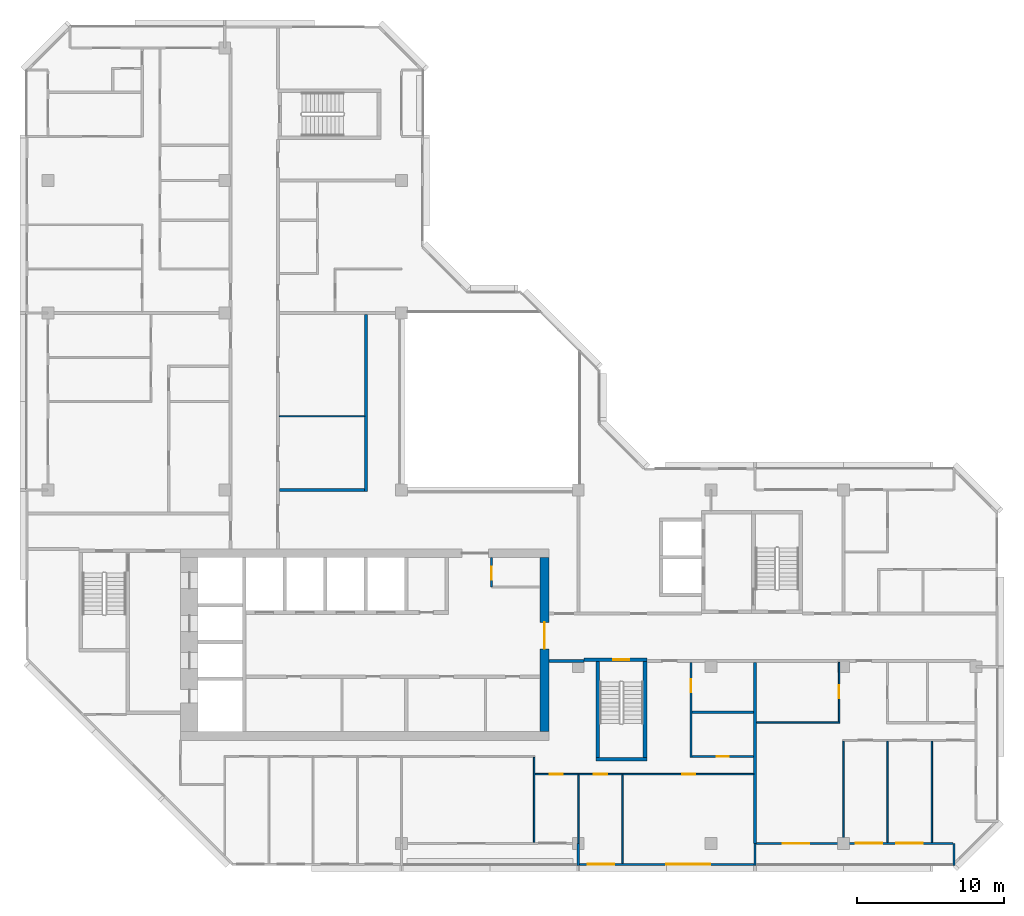
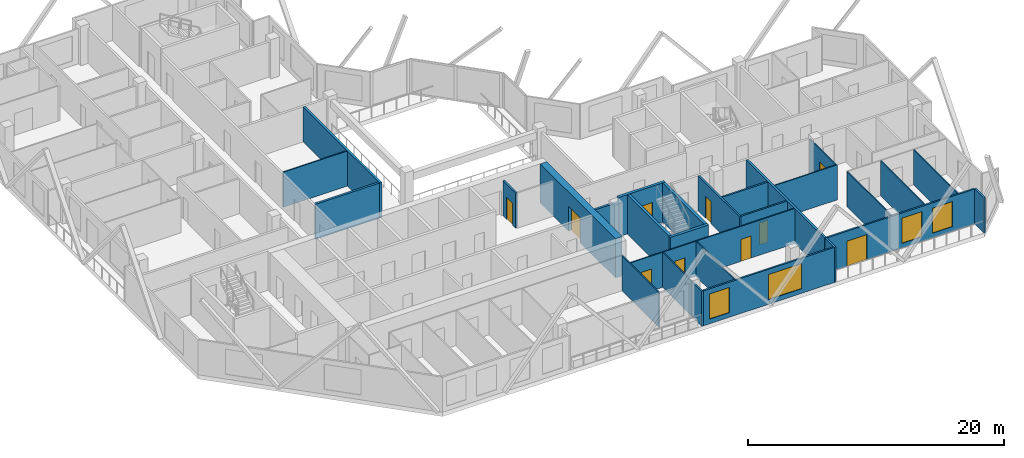
# One storey, part 6 of 13: 28 walls, 10 doors, 4 windows, 14 openings.
"""IFC4 building model written with IfcOpenShell, lengths in metres."""

from ifc_helpers import new_model, si_unit, direction, frame, frame_2d, origin, place, context, subcontext, project, spatial, rectangle, extrude, material, layer, layer_set, type_object, element, fill, save


model = new_model("IFC4")

# Units and contexts
model_context = context("Model", 3, precision=1e-05, world=origin(), true_north=direction((0.0, 1.0)))
body_context = subcontext(model_context, "Body", "Model", "MODEL_VIEW")
ifc_project = project(units=[si_unit("LENGTHUNIT", "METRE"), si_unit("AREAUNIT", "SQUARE_METRE"), si_unit("VOLUMEUNIT", "CUBIC_METRE"), si_unit("PLANEANGLEUNIT", "RADIAN"), si_unit("MASSUNIT", "GRAM", prefix="KILO")], contexts=[model_context])

# Site, building, storey
site_placement = place(None, origin())
site = spatial("IfcSite", under=ifc_project, at=site_placement, CompositionType="ELEMENT")
building_placement = place(site_placement, origin())
building = spatial("IfcBuilding", under=site, at=building_placement, Name="Chenar Terraces", CompositionType="ELEMENT")
storey_placement = place(building_placement, frame((0.0, 0.0, 273.39990234375)))
storey = spatial("IfcBuildingStorey", under=building, at=storey_placement, Name="L63", CompositionType="ELEMENT", Elevation=273.39990234375)

# Wall, opening, door
ifc_material_1 = material(Name="Gypsum board on steel studs", Category="steel")
ifc_layer_1 = layer(ifc_material_1, 0.14990234375)
ifc_layer_set_1 = layer_set([ifc_layer_1], Name="Gypsum board on steel studs")
wall_type_1 = type_object("IfcWallType", Name="Core partition 150 gypsum board", PredefinedType="PARTITIONING", material=ifc_layer_set_1)
wall_1_placement = place(storey_placement, frame((30.10009765625, 17.39990234375, 0.0), z_axis=(0.0, 0.0, 1.0), x_axis=(0.0, 1.0, 0.0)))
wall_1 = element("IfcWall", 1, at=wall_1_placement, inside=storey, type_object=wall_type_1, Name="Core partition CP1 vestibule room west wall", PredefinedType="PARTITIONING", context=body_context, shape_type="SweptSolid", body=[
    extrude(rectangle(XDim=2.0, YDim=0.14990234375, at=frame_2d((1.0, 0.0))), origin(), (0.0, 0.0, 1.0), 3.35009765625),
])
opening_1_placement = place(wall_1_placement, frame((0.5, 0.0, 0.0)))
opening_1 = element("IfcOpeningElement", 2, at=opening_1_placement, cuts=wall_1, Name="Opening DL63-C17", PredefinedType="OPENING", context=body_context, shape_type="SweptSolid", body=[
    extrude(rectangle(XDim=0.89990234375, YDim=2.10009765625, at=frame_2d((0.449951171875, 1.050048828125))), frame((0.0, 0.0849609375, 0.0), z_axis=(0.0, -1.0, 0.0), x_axis=(1.0, 0.0, 0.0)), (0.0, 0.0, 1.0), 0.169921875),
])
ifc_material_2 = material(Name="Steel-framed fire-resisting door leaf", Category="steel")
door_type_1 = type_object("IfcDoorType", Name="Riser fire door FD60 900 x 2100", OperationType="SINGLE_SWING_LEFT", PredefinedType="DOOR", material=ifc_material_2)
door_1_placement = place(opening_1_placement, frame((0.89990234375, 0.0, 0.0), z_axis=(0.0, 0.0, 1.0), x_axis=(-1.0, 0.0, 0.0)))
door_1 = element("IfcDoor", 3, at=door_1_placement, inside=storey, type_object=door_type_1, Name="Core room door DL63-C17", OperationType="SINGLE_SWING_RIGHT", OverallHeight=2.10009765625, OverallWidth=0.89990234375, PredefinedType="DOOR", context=body_context, shape_type="SweptSolid", body=[
    extrude(rectangle(XDim=0.89990234375, YDim=2.10009765625, at=frame_2d((0.449951171875, 1.050048828125))), frame((0.0, 0.02490234375, 0.0), z_axis=(0.0, -1.0, 0.0), x_axis=(1.0, 0.0, 0.0)), (0.0, 0.0, 1.0), 0.050048828125),
])
fill(opening_1, door_1)

# Wall
ifc_material_3 = material(Name="Concrete C50/60", Category="concrete")
ifc_layer_2 = layer(ifc_material_3, 0.25)
ifc_layer_set_2 = layer_set([ifc_layer_2], Name="Concrete C50/60")
wall_type_2 = type_object("IfcWallType", Name="Core wall 250 Concrete C50/60", PredefinedType="SHEAR", material=ifc_layer_set_2)
wall_2_placement = place(storey_placement, frame((37.199951171875, 5.72509765625, 0.0), z_axis=(0.0, 0.0, 1.0), x_axis=(1.0, 0.0, 0.0)))
element("IfcWall", 4, at=wall_2_placement, inside=storey, type_object=wall_type_2, Name="Core wall ST2_S L63", PredefinedType="SHEAR", context=body_context, shape_type="SweptSolid", body=[
    extrude(rectangle(XDim=3.449951171875, YDim=0.25, at=frame_2d((1.72509765625, 0.0))), origin(), (0.0, 0.0, 1.0), 3.75),
])

# Wall, opening, door
wall_3_placement = place(storey_placement, frame((36.39990234375, 12.47509765625, 0.0), z_axis=(0.0, 0.0, 1.0), x_axis=(1.0, 0.0, 0.0)))
wall_3 = element("IfcWall", 5, at=wall_3_placement, inside=storey, type_object=wall_type_2, Name="Core wall ST2_N L63", PredefinedType="SHEAR", context=body_context, shape_type="SweptSolid", body=[
    extrude(rectangle(XDim=4.25, YDim=0.25, at=frame_2d((2.125, 0.0))), origin(), (0.0, 0.0, 1.0), 3.75),
])
opening_2_placement = place(wall_3_placement, frame((1.97509765625, 0.0, 0.0)))
opening_2 = element("IfcOpeningElement", 6, at=opening_2_placement, cuts=wall_3, Name="Opening DL63-C7", PredefinedType="OPENING", context=body_context, shape_type="SweptSolid", body=[
    extrude(rectangle(XDim=1.10009765625, YDim=2.199951171875, at=frame_2d((0.550048828125, 1.10009765625))), frame((0.0, 0.135009765625, 0.0), z_axis=(0.0, -1.0, 0.0), x_axis=(1.0, 0.0, 0.0)), (0.0, 0.0, 1.0), 0.27001953125),
])
ifc_material_4 = material(Name="Steel-framed fire-resisting door leaf", Category="steel")
door_type_2 = type_object("IfcDoorType", Name="Stair fire door FD60 1100 x 2200", OperationType="SINGLE_SWING_LEFT", PredefinedType="DOOR", material=ifc_material_4)
door_2_placement = place(opening_2_placement, frame((1.10009765625, 0.0, 0.0), z_axis=(0.0, 0.0, 1.0), x_axis=(-1.0, 0.0, 0.0)))
door_2 = element("IfcDoor", 7, at=door_2_placement, inside=storey, type_object=door_type_2, Name="Stair door DL63-C7", OperationType="SINGLE_SWING_LEFT", OverallHeight=2.199951171875, OverallWidth=1.10009765625, PredefinedType="DOOR", context=body_context, shape_type="SweptSolid", body=[
    extrude(rectangle(XDim=1.10009765625, YDim=2.199951171875, at=frame_2d((0.550048828125, 1.10009765625))), frame((0.0, 0.02490234375, 0.0), z_axis=(0.0, -1.0, 0.0), x_axis=(1.0, 0.0, 0.0)), (0.0, 0.0, 1.0), 0.050048828125),
])
fill(opening_2, door_2)

# Walls
for number, where, z_axis, x_axis, name in (
    (8, (37.324951171875, 5.85009765625, 0.0), (0.0, 0.0, 1.0), (0.0, 1.0, 0.0), "Core wall ST2_W L63"),
    (9, (40.52490234375, 5.85009765625, 0.0), (0.0, 0.0, 1.0), (0.0, 1.0, 0.0), "Core wall ST2_E L63"),
):
    element("IfcWall", number, at=place(storey_placement, frame(where, z_axis=z_axis, x_axis=x_axis)), inside=storey, type_object=wall_type_2, Name=name, PredefinedType="SHEAR", context=body_context, shape_type="SweptSolid", body=[
        extrude(rectangle(XDim=6.5, YDim=0.25, at=frame_2d((3.25, 0.0))), origin(), (0.0, 0.0, 1.0), 3.75),
    ])

# Wall, opening, door
ifc_material_5 = material(Name="Concrete C50/60", Category="concrete")
ifc_layer_3 = layer(ifc_material_5, 0.60009765625)
ifc_layer_set_3 = layer_set([ifc_layer_3], Name="Concrete C50/60")
wall_type_3 = type_object("IfcWallType", Name="Core wall 600 Concrete C50/60", PredefinedType="SHEAR", material=ifc_layer_set_3)
wall_4_placement = place(storey_placement, frame((33.699951171875, 7.60009765625, 0.0), z_axis=(0.0, 0.0, 1.0), x_axis=(0.0, 1.0, 0.0)))
wall_4 = element("IfcWall", 10, at=wall_4_placement, inside=storey, type_object=wall_type_3, Name="Core wall E L63", PredefinedType="SHEAR", context=body_context, shape_type="SweptSolid", body=[
    extrude(rectangle(XDim=11.7998046875, YDim=0.60009765625, at=frame_2d((5.89990234375, 0.0))), origin(), (0.0, 0.0, 1.0), 3.75),
])
opening_3_placement = place(wall_4_placement, frame((5.60009765625, 0.0, 0.0)))
opening_3 = element("IfcOpeningElement", 11, at=opening_3_placement, cuts=wall_4, Name="Opening DL63-C1", PredefinedType="OPENING", context=body_context, shape_type="SweptSolid", body=[
    extrude(rectangle(XDim=1.800048828125, YDim=2.39990234375, at=frame_2d((0.89990234375, 1.199951171875))), frame((0.0, 0.31005859375, 0.0), z_axis=(0.0, -1.0, 0.0), x_axis=(1.0, 0.0, 0.0)), (0.0, 0.0, 1.0), 0.6201171875),
])
ifc_material_6 = material(Name="Steel-framed fire-resisting door leaf", Category="steel")
door_type_3 = type_object("IfcDoorType", Name="Core entrance double fire door FD60 1800 x 2400", OperationType="DOUBLE_DOOR_SINGLE_SWING", PredefinedType="DOOR", material=ifc_material_6)
door_3_placement = place(opening_3_placement, origin())
door_3 = element("IfcDoor", 12, at=door_3_placement, inside=storey, type_object=door_type_3, Name="Core door DL63-C1", OperationType="DOUBLE_DOOR_SINGLE_SWING", OverallHeight=2.39990234375, OverallWidth=1.800048828125, PredefinedType="DOOR", context=body_context, shape_type="SweptSolid", body=[
    extrude(rectangle(XDim=1.800048828125, YDim=2.39990234375, at=frame_2d((0.89990234375, 1.199951171875))), frame((0.0, 0.02490234375, 0.0), z_axis=(0.0, -1.0, 0.0), x_axis=(1.0, 0.0, 0.0)), (0.0, 0.0, 1.0), 0.050048828125),
])
fill(opening_3, door_3)

# Walls
ifc_material_7 = material(Name="Gypsum board on steel studs with fire boards", Category="steel")
ifc_layer_4 = layer(ifc_material_7, 0.199951171875)
ifc_layer_set_4 = layer_set([ifc_layer_4], Name="Gypsum board on steel studs with fire boards")
wall_type_4 = type_object("IfcWallType", Name="Corridor wall 200", PredefinedType="PARTITIONING", material=ifc_layer_set_4)
wall_5_placement = place(storey_placement, frame((15.699951171875, 24.0, 0.0), z_axis=(0.0, 0.0, 1.0), x_axis=(1.0, 0.0, 0.0)))
element("IfcWall", 13, at=wall_5_placement, inside=storey, type_object=wall_type_4, Name="Partition L63-032", PredefinedType="PARTITIONING", context=body_context, shape_type="SweptSolid", body=[
    extrude(rectangle(XDim=5.800048828125, YDim=0.199951171875, at=frame_2d((2.89990234375, 0.0))), origin(), (0.0, 0.0, 1.0), 3.35009765625),
])
wall_6_placement = place(storey_placement, frame((21.60009765625, 23.89990234375, 0.0), z_axis=(0.0, 0.0, 1.0), x_axis=(0.0, 1.0, 0.0)))
element("IfcWall", 14, at=wall_6_placement, inside=storey, type_object=wall_type_4, Name="Partition L63-043", PredefinedType="PARTITIONING", context=body_context, shape_type="SweptSolid", body=[
    extrude(rectangle(XDim=12.0, YDim=0.199951171875, at=frame_2d((6.0, 0.0))), origin(), (0.0, 0.0, 1.0), 3.35009765625),
])
wall_7_placement = place(storey_placement, frame((34.0, 12.39990234375, 0.0), z_axis=(0.0, 0.0, 1.0), x_axis=(1.0, 0.0, 0.0)))
element("IfcWall", 15, at=wall_7_placement, inside=storey, type_object=wall_type_4, Name="Partition L63-047", PredefinedType="PARTITIONING", context=body_context, shape_type="SweptSolid", body=[
    extrude(rectangle(XDim=2.40087890625, YDim=0.199951171875, at=frame_2d((1.200439453125, 0.0))), origin(), (0.0, 0.0, 1.0), 3.35009765625),
])

# Wall, openings, windows
ifc_material_8 = material(Name="Aluminium framed glazing", Category="aluminium")
ifc_layer_5 = layer(ifc_material_8, 0.14990234375)
ifc_layer_set_5 = layer_set([ifc_layer_5], Name="Aluminium framed glazing")
wall_type_5 = type_object("IfcWallType", Name="Glazed flush facade wall 150", PredefinedType="SOLIDWALL", material=ifc_layer_set_5)
wall_8_placement = place(storey_placement, frame((36.074951171875, -1.425048828125, 0.0), z_axis=(0.0, 0.0, 1.0), x_axis=(1.0, 0.0, 0.0)))
wall_8 = element("IfcWall", 16, at=wall_8_placement, inside=storey, type_object=wall_type_5, Name="Glazed flush facade wall", PredefinedType="SOLIDWALL", context=body_context, shape_type="SweptSolid", body=[
    extrude(rectangle(XDim=11.85009765625, YDim=0.14990234375, at=frame_2d((5.925048828125, 0.0))), origin(), (0.0, 0.0, 1.0), 3.35009765625),
])
opening_4_placement = place(wall_8_placement, frame((0.5625, 0.0, 0.449951171875)))
opening_4 = element("IfcOpeningElement", 17, at=opening_4_placement, cuts=wall_8, Name="Opening W180x240", PredefinedType="OPENING", context=body_context, shape_type="SweptSolid", body=[
    extrude(rectangle(XDim=1.800048828125, YDim=2.39990234375, at=frame_2d((0.89990234375, 1.199951171875))), frame((0.0, 0.0849609375, 0.0), z_axis=(0.0, -1.0, 0.0), x_axis=(1.0, 0.0, 0.0)), (0.0, 0.0, 1.0), 0.169921875),
])
opening_5_placement = place(wall_8_placement, frame((5.887451171875, 0.0, 0.449951171875)))
opening_5 = element("IfcOpeningElement", 18, at=opening_5_placement, cuts=wall_8, Name="Opening W300x240", PredefinedType="OPENING", context=body_context, shape_type="SweptSolid", body=[
    extrude(rectangle(XDim=3.0, YDim=2.39990234375, at=frame_2d((1.5, 1.199951171875))), frame((0.0, 0.0849609375, 0.0), z_axis=(0.0, -1.0, 0.0), x_axis=(1.0, 0.0, 0.0)), (0.0, 0.0, 1.0), 0.169921875),
])
ifc_material_9 = material(Name="Low emissivity double glazing, aluminium frame", Category="aluminium")
window_type_1 = type_object("IfcWindowType", Name="Fixed light 1800 x 2400", PartitioningType="SINGLE_PANEL", PredefinedType="WINDOW", material=ifc_material_9)
window_1_placement = place(opening_4_placement, origin())
window_1 = element("IfcWindow", 19, at=window_1_placement, inside=storey, type_object=window_type_1, Name="Window", OverallHeight=2.39990234375, OverallWidth=1.800048828125, PartitioningType="SINGLE_PANEL", PredefinedType="WINDOW", context=body_context, shape_type="SweptSolid", body=[
    extrude(rectangle(XDim=1.800048828125, YDim=2.39990234375, at=frame_2d((0.89990234375, 1.199951171875))), frame((0.0, 0.030029296875, 0.0), z_axis=(0.0, -1.0, 0.0), x_axis=(1.0, 0.0, 0.0)), (0.0, 0.0, 1.0), 0.06005859375),
])
fill(opening_4, window_1)
ifc_material_10 = material(Name="Low emissivity double glazing, aluminium frame", Category="aluminium")
window_type_2 = type_object("IfcWindowType", Name="Fixed light 3000 x 2400", PartitioningType="SINGLE_PANEL", PredefinedType="WINDOW", material=ifc_material_10)
window_2_placement = place(opening_5_placement, origin())
window_2 = element("IfcWindow", 20, at=window_2_placement, inside=storey, type_object=window_type_2, Name="Window", OverallHeight=2.39990234375, OverallWidth=3.0, PartitioningType="SINGLE_PANEL", PredefinedType="WINDOW", context=body_context, shape_type="SweptSolid", body=[
    extrude(rectangle(XDim=3.0, YDim=2.39990234375, at=frame_2d((1.5, 1.199951171875))), frame((0.0, 0.030029296875, 0.0), z_axis=(0.0, -1.0, 0.0), x_axis=(1.0, 0.0, 0.0)), (0.0, 0.0, 1.0), 0.06005859375),
])
fill(opening_5, window_2)

# Wall, openings, windows, door
ifc_material_11 = material(Name="Aluminium framed glazing", Category="aluminium")
ifc_layer_6 = layer(ifc_material_11, 0.14990234375)
ifc_layer_set_6 = layer_set([ifc_layer_6], Name="Aluminium framed glazing")
wall_type_6 = type_object("IfcWallType", Name="Glazed loggia back wall 150", PredefinedType="SOLIDWALL", material=ifc_layer_set_6)
wall_9_placement = place(storey_placement, frame((48.074951171875, 0.0, 0.0), z_axis=(0.0, 0.0, 1.0), x_axis=(1.0, 0.0, 0.0)))
wall_9 = element("IfcWall", 21, at=wall_9_placement, inside=storey, type_object=wall_type_6, Name="Glazed loggia back wall", PredefinedType="SOLIDWALL", context=body_context, shape_type="SweptSolid", body=[
    extrude(rectangle(XDim=13.35009765625, YDim=0.14990234375, at=frame_2d((6.675048828125, 0.0))), origin(), (0.0, 0.0, 1.0), 3.35009765625),
])
opening_6_placement = place(wall_9_placement, frame((1.8125, 0.0, 0.0)))
opening_6 = element("IfcOpeningElement", 22, at=opening_6_placement, cuts=wall_9, Name="Opening DL63-G5", PredefinedType="OPENING", context=body_context, shape_type="SweptSolid", body=[
    extrude(rectangle(XDim=1.800048828125, YDim=2.39990234375, at=frame_2d((0.89990234375, 1.199951171875))), frame((0.0, 0.0849609375, 0.0), z_axis=(0.0, -1.0, 0.0), x_axis=(1.0, 0.0, 0.0)), (0.0, 0.0, 1.0), 0.169921875),
])
opening_7_placement = place(wall_9_placement, frame((6.77490234375, 0.0, 0.449951171875)))
opening_7 = element("IfcOpeningElement", 23, at=opening_7_placement, cuts=wall_9, Name="Opening W180x240", PredefinedType="OPENING", context=body_context, shape_type="SweptSolid", body=[
    extrude(rectangle(XDim=1.800048828125, YDim=2.39990234375, at=frame_2d((0.89990234375, 1.199951171875))), frame((0.0, 0.0849609375, 0.0), z_axis=(0.0, -1.0, 0.0), x_axis=(1.0, 0.0, 0.0)), (0.0, 0.0, 1.0), 0.169921875),
])
opening_8_placement = place(wall_9_placement, frame((9.52490234375, 0.0, 0.449951171875)))
opening_8 = element("IfcOpeningElement", 24, at=opening_8_placement, cuts=wall_9, Name="Opening W180x240", PredefinedType="OPENING", context=body_context, shape_type="SweptSolid", body=[
    extrude(rectangle(XDim=1.800048828125, YDim=2.39990234375, at=frame_2d((0.89990234375, 1.199951171875))), frame((0.0, 0.0849609375, 0.0), z_axis=(0.0, -1.0, 0.0), x_axis=(1.0, 0.0, 0.0)), (0.0, 0.0, 1.0), 0.169921875),
])
window_3_placement = place(opening_7_placement, origin())
window_3 = element("IfcWindow", 25, at=window_3_placement, inside=storey, type_object=window_type_1, Name="Window", OverallHeight=2.39990234375, OverallWidth=1.800048828125, PartitioningType="SINGLE_PANEL", PredefinedType="WINDOW", context=body_context, shape_type="SweptSolid", body=[
    extrude(rectangle(XDim=1.800048828125, YDim=2.39990234375, at=frame_2d((0.89990234375, 1.199951171875))), frame((0.0, 0.030029296875, 0.0), z_axis=(0.0, -1.0, 0.0), x_axis=(1.0, 0.0, 0.0)), (0.0, 0.0, 1.0), 0.06005859375),
])
fill(opening_7, window_3)
window_4_placement = place(opening_8_placement, origin())
window_4 = element("IfcWindow", 26, at=window_4_placement, inside=storey, type_object=window_type_1, Name="Window", OverallHeight=2.39990234375, OverallWidth=1.800048828125, PartitioningType="SINGLE_PANEL", PredefinedType="WINDOW", context=body_context, shape_type="SweptSolid", body=[
    extrude(rectangle(XDim=1.800048828125, YDim=2.39990234375, at=frame_2d((0.89990234375, 1.199951171875))), frame((0.0, 0.030029296875, 0.0), z_axis=(0.0, -1.0, 0.0), x_axis=(1.0, 0.0, 0.0)), (0.0, 0.0, 1.0), 0.06005859375),
])
fill(opening_8, window_4)
ifc_material_12 = material(Name="Low emissivity double glazing, aluminium frame", Category="aluminium")
door_type_4 = type_object("IfcDoorType", Name="Loggia glazed double door 1800 x 2400", OperationType="DOUBLE_DOOR_SINGLE_SWING", PredefinedType="DOOR", material=ifc_material_12)
door_4_placement = place(opening_6_placement, frame((1.800048828125, 0.0, 0.0), z_axis=(0.0, 0.0, 1.0), x_axis=(-1.0, 0.0, 0.0)))
door_4 = element("IfcDoor", 27, at=door_4_placement, inside=storey, type_object=door_type_4, Name="Loggia glazed door", OperationType="DOUBLE_DOOR_SINGLE_SWING", OverallHeight=2.39990234375, OverallWidth=1.800048828125, PredefinedType="DOOR", context=body_context, shape_type="SweptSolid", body=[
    extrude(rectangle(XDim=1.800048828125, YDim=2.39990234375, at=frame_2d((0.89990234375, 1.199951171875))), frame((0.0, 0.02490234375, 0.0), z_axis=(0.0, -1.0, 0.0), x_axis=(1.0, 0.0, 0.0)), (0.0, 0.0, 1.0), 0.050048828125),
])
fill(opening_6, door_4)

# Walls
ifc_material_13 = material(Name="Gypsum board on steel studs", Category="steel")
ifc_layer_7 = layer(ifc_material_13, 0.10009765625)
ifc_layer_set_7 = layer_set([ifc_layer_7], Name="Gypsum board on steel studs")
wall_type_7 = type_object("IfcWallType", Name="Gypsum partition 100", PredefinedType="PARTITIONING", material=ifc_layer_set_7)
wall_10_placement = place(storey_placement, frame((15.699951171875, 29.0, 0.0), z_axis=(0.0, 0.0, 1.0), x_axis=(1.0, 0.0, 0.0)))
element("IfcWall", 28, at=wall_10_placement, inside=storey, type_object=wall_type_7, Name="Partition L63-033", PredefinedType="PARTITIONING", context=body_context, shape_type="SweptSolid", body=[
    extrude(rectangle(XDim=5.800048828125, YDim=0.10009765625, at=frame_2d((2.89990234375, 0.0))), origin(), (0.0, 0.0, 1.0), 3.35009765625),
])
wall_11_placement = place(storey_placement, frame((33.0, 0.073974609375, 0.0), z_axis=(0.0, 0.0, 1.0), x_axis=(0.0, 1.0, 0.0)))
element("IfcWall", 29, at=wall_11_placement, inside=storey, type_object=wall_type_7, Name="Partition L63-045", PredefinedType="PARTITIONING", context=body_context, shape_type="SweptSolid", body=[
    extrude(rectangle(XDim=5.776123046875, YDim=0.10009765625, at=frame_2d((2.88818359375, 0.0))), origin(), (0.0, 0.0, 1.0), 3.35009765625),
])

# Wall, openings, doors
wall_12_placement = place(storey_placement, frame((33.050048828125, 4.699951171875, 0.0), z_axis=(0.0, 0.0, 1.0), x_axis=(1.0, 0.0, 0.0)))
wall_12 = element("IfcWall", 30, at=wall_12_placement, inside=storey, type_object=wall_type_7, Name="Partition L63-046", PredefinedType="PARTITIONING", context=body_context, shape_type="SweptSolid", body=[
    extrude(rectangle(XDim=14.849853515625, YDim=0.10009765625, at=frame_2d((7.4248046875, 0.0))), origin(), (0.0, 0.0, 1.0), 3.35009765625),
])
opening_9_placement = place(wall_12_placement, frame((1.0, 0.0, 0.0)))
opening_9 = element("IfcOpeningElement", 31, at=opening_9_placement, cuts=wall_12, Name="Opening DL63-39", PredefinedType="OPENING", context=body_context, shape_type="SweptSolid", body=[
    extrude(rectangle(XDim=0.89990234375, YDim=2.10009765625, at=frame_2d((0.449951171875, 1.050048828125))), frame((0.0, 0.06005859375, 0.0), z_axis=(0.0, -1.0, 0.0), x_axis=(1.0, 0.0, 0.0)), (0.0, 0.0, 1.0), 0.1201171875),
])
opening_10_placement = place(wall_12_placement, frame((4.0, 0.0, 0.0)))
opening_10 = element("IfcOpeningElement", 32, at=opening_10_placement, cuts=wall_12, Name="Opening DL63-40", PredefinedType="OPENING", context=body_context, shape_type="SweptSolid", body=[
    extrude(rectangle(XDim=0.89990234375, YDim=2.10009765625, at=frame_2d((0.449951171875, 1.050048828125))), frame((0.0, 0.06005859375, 0.0), z_axis=(0.0, -1.0, 0.0), x_axis=(1.0, 0.0, 0.0)), (0.0, 0.0, 1.0), 0.1201171875),
])
opening_11_placement = place(wall_12_placement, frame((10.0, 0.0, 0.0)))
opening_11 = element("IfcOpeningElement", 33, at=opening_11_placement, cuts=wall_12, Name="Opening DL63-46", PredefinedType="OPENING", context=body_context, shape_type="SweptSolid", body=[
    extrude(rectangle(XDim=0.89990234375, YDim=2.10009765625, at=frame_2d((0.449951171875, 1.050048828125))), frame((0.0, 0.06005859375, 0.0), z_axis=(0.0, -1.0, 0.0), x_axis=(1.0, 0.0, 0.0)), (0.0, 0.0, 1.0), 0.1201171875),
])
ifc_material_14 = material(Name="Veneered timber door leaf", Category="wood")
door_type_5 = type_object("IfcDoorType", Name="Door 900 x 2100", OperationType="SINGLE_SWING_LEFT", PredefinedType="DOOR", material=ifc_material_14)
door_5_placement = place(opening_9_placement, frame((0.89990234375, 0.0, 0.0), z_axis=(0.0, 0.0, 1.0), x_axis=(-1.0, 0.0, 0.0)))
door_5 = element("IfcDoor", 34, at=door_5_placement, inside=storey, type_object=door_type_5, Name="Door DL63-39", OperationType="SINGLE_SWING_LEFT", OverallHeight=2.10009765625, OverallWidth=0.89990234375, PredefinedType="DOOR", context=body_context, shape_type="SweptSolid", body=[
    extrude(rectangle(XDim=0.89990234375, YDim=2.10009765625, at=frame_2d((0.449951171875, 1.050048828125))), frame((0.0, 0.02490234375, 0.0), z_axis=(0.0, -1.0, 0.0), x_axis=(1.0, 0.0, 0.0)), (0.0, 0.0, 1.0), 0.050048828125),
])
fill(opening_9, door_5)
door_6_placement = place(opening_10_placement, frame((0.89990234375, 0.0, 0.0), z_axis=(0.0, 0.0, 1.0), x_axis=(-1.0, 0.0, 0.0)))
door_6 = element("IfcDoor", 35, at=door_6_placement, inside=storey, type_object=door_type_5, Name="Door DL63-40", OperationType="SINGLE_SWING_LEFT", OverallHeight=2.10009765625, OverallWidth=0.89990234375, PredefinedType="DOOR", context=body_context, shape_type="SweptSolid", body=[
    extrude(rectangle(XDim=0.89990234375, YDim=2.10009765625, at=frame_2d((0.449951171875, 1.050048828125))), frame((0.0, 0.02490234375, 0.0), z_axis=(0.0, -1.0, 0.0), x_axis=(1.0, 0.0, 0.0)), (0.0, 0.0, 1.0), 0.050048828125),
])
fill(opening_10, door_6)
door_7_placement = place(opening_11_placement, frame((0.89990234375, 0.0, 0.0), z_axis=(0.0, 0.0, 1.0), x_axis=(-1.0, 0.0, 0.0)))
door_7 = element("IfcDoor", 36, at=door_7_placement, inside=storey, type_object=door_type_5, Name="Door DL63-46", OperationType="SINGLE_SWING_LEFT", OverallHeight=2.10009765625, OverallWidth=0.89990234375, PredefinedType="DOOR", context=body_context, shape_type="SweptSolid", body=[
    extrude(rectangle(XDim=0.89990234375, YDim=2.10009765625, at=frame_2d((0.449951171875, 1.050048828125))), frame((0.0, 0.02490234375, 0.0), z_axis=(0.0, -1.0, 0.0), x_axis=(1.0, 0.0, 0.0)), (0.0, 0.0, 1.0), 0.050048828125),
])
fill(opening_11, door_7)

# Walls
wall_13_placement = place(storey_placement, frame((36.0, 0.0, 0.0), z_axis=(0.0, 0.0, 1.0), x_axis=(0.0, 1.0, 0.0)))
element("IfcWall", 37, at=wall_13_placement, inside=storey, type_object=wall_type_7, Name="Partition L63-049", PredefinedType="PARTITIONING", context=body_context, shape_type="SweptSolid", body=[
    extrude(rectangle(XDim=4.64990234375, YDim=0.10009765625, at=frame_2d((2.324951171875, 0.0))), origin(), (0.0, 0.0, 1.0), 3.35009765625),
])
wall_14_placement = place(storey_placement, frame((39.0, -1.35009765625, 0.0), z_axis=(0.0, 0.0, 1.0), x_axis=(0.0, 1.0, 0.0)))
element("IfcWall", 38, at=wall_14_placement, inside=storey, type_object=wall_type_7, Name="Partition L63-051", PredefinedType="PARTITIONING", context=body_context, shape_type="SweptSolid", body=[
    extrude(rectangle(XDim=6.0, YDim=0.10009765625, at=frame_2d((3.0, 0.0))), origin(), (0.0, 0.0, 1.0), 3.35009765625),
])
wall_15_placement = place(storey_placement, frame((48.10009765625, 8.199951171875, 0.0), z_axis=(0.0, 0.0, 1.0), x_axis=(1.0, 0.0, 0.0)))
element("IfcWall", 39, at=wall_15_placement, inside=storey, type_object=wall_type_7, Name="Partition L63-058", PredefinedType="PARTITIONING", context=body_context, shape_type="SweptSolid", body=[
    extrude(rectangle(XDim=5.64990234375, YDim=0.10009765625, at=frame_2d((2.824951171875, 0.0))), origin(), (0.0, 0.0, 1.0), 3.35009765625),
])

# Wall, opening, door
wall_16_placement = place(storey_placement, frame((53.699951171875, 8.25, 0.0), z_axis=(0.0, 0.0, 1.0), x_axis=(0.0, 1.0, 0.0)))
wall_16 = element("IfcWall", 40, at=wall_16_placement, inside=storey, type_object=wall_type_7, Name="Partition L63-060", PredefinedType="PARTITIONING", context=body_context, shape_type="SweptSolid", body=[
    extrude(rectangle(XDim=4.050048828125, YDim=0.10009765625, at=frame_2d((2.02490234375, 0.0))), origin(), (0.0, 0.0, 1.0), 3.35009765625),
])
opening_12_placement = place(wall_16_placement, frame((1.60009765625, 0.0, 0.0)))
opening_12 = element("IfcOpeningElement", 41, at=opening_12_placement, cuts=wall_16, Name="Opening DL63-11", PredefinedType="OPENING", context=body_context, shape_type="SweptSolid", body=[
    extrude(rectangle(XDim=0.89990234375, YDim=2.10009765625, at=frame_2d((0.449951171875, 1.050048828125))), frame((0.0, 0.06005859375, 0.0), z_axis=(0.0, -1.0, 0.0), x_axis=(1.0, 0.0, 0.0)), (0.0, 0.0, 1.0), 0.1201171875),
])
door_8_placement = place(opening_12_placement, origin())
door_8 = element("IfcDoor", 42, at=door_8_placement, inside=storey, type_object=door_type_5, Name="Door DL63-11", OperationType="SINGLE_SWING_RIGHT", OverallHeight=2.10009765625, OverallWidth=0.89990234375, PredefinedType="DOOR", context=body_context, shape_type="SweptSolid", body=[
    extrude(rectangle(XDim=0.89990234375, YDim=2.10009765625, at=frame_2d((0.449951171875, 1.050048828125))), frame((0.0, 0.02490234375, 0.0), z_axis=(0.0, -1.0, 0.0), x_axis=(1.0, 0.0, 0.0)), (0.0, 0.0, 1.0), 0.050048828125),
])
fill(opening_12, door_8)

# Walls
for number, where, z_axis, x_axis, name in (
    (43, (54.0, 0.073974609375, 0.0), (0.0, 0.0, 1.0), (0.0, 1.0, 0.0), "Partition L63-062"),
    (44, (57.0, 0.073974609375, 0.0), (0.0, 0.0, 1.0), (0.0, 1.0, 0.0), "Partition L63-068"),
    (45, (60.0, 0.073974609375, 0.0), (0.0, 0.0, 1.0), (0.0, 1.0, 0.0), "Partition L63-073"),
):
    element("IfcWall", number, at=place(storey_placement, frame(where, z_axis=z_axis, x_axis=x_axis)), inside=storey, type_object=wall_type_7, Name=name, PredefinedType="PARTITIONING", context=body_context, shape_type="SweptSolid", body=[
        extrude(rectangle(XDim=6.8759765625, YDim=0.10009765625, at=frame_2d((3.43798828125, 0.0))), origin(), (0.0, 0.0, 1.0), 3.35009765625),
    ])
ifc_material_15 = material(Name="Terracotta cladding on insulated backing", Category="masonry")
ifc_layer_8 = layer(ifc_material_15, 0.14990234375)
ifc_layer_set_8 = layer_set([ifc_layer_8], Name="Terracotta cladding on insulated backing")
wall_type_8 = type_object("IfcWallType", Name="Loggia return wall 150", PredefinedType="SOLIDWALL", material=ifc_layer_set_8)
for number, where, z_axis, x_axis, name in (
    (46, (36.0, -1.5, 0.0), (0.0, 0.0, 1.0), (0.0, 1.0, 0.0), "Loggia return wall"),
    (47, (48.0, -1.5, 0.0), (0.0, 0.0, 1.0), (0.0, 1.0, 0.0), "Loggia return wall"),
    (48, (61.5, -1.5, 0.0), (0.0, 0.0, 1.0), (0.0, 1.0, 0.0), "Loggia return wall"),
):
    element("IfcWall", number, at=place(storey_placement, frame(where, z_axis=z_axis, x_axis=x_axis)), inside=storey, type_object=wall_type_8, Name=name, PredefinedType="SOLIDWALL", context=body_context, shape_type="SweptSolid", body=[
        extrude(rectangle(XDim=1.5, YDim=0.14990234375, at=frame_2d((0.75, 0.0))), origin(), (0.0, 0.0, 1.0), 3.35009765625),
    ])
ifc_material_16 = material(Name="Twin gypsum board on steel studs with mineral wool", Category="steel")
ifc_layer_9 = layer(ifc_material_16, 0.199951171875)
ifc_layer_set_9 = layer_set([ifc_layer_9], Name="Twin gypsum board on steel studs with mineral wool")
wall_type_9 = type_object("IfcWallType", Name="Unit demising wall 200", PredefinedType="PARTITIONING", material=ifc_layer_set_9)
wall_17_placement = place(storey_placement, frame((48.0, 0.0, 0.0), z_axis=(0.0, 0.0, 1.0), x_axis=(0.0, 1.0, 0.0)))
element("IfcWall", 49, at=wall_17_placement, inside=storey, type_object=wall_type_9, Name="Partition L63-057", PredefinedType="PARTITIONING", context=body_context, shape_type="SweptSolid", body=[
    extrude(rectangle(XDim=12.300048828125, YDim=0.199951171875, at=frame_2d((6.14990234375, 0.0))), origin(), (0.0, 0.0, 1.0), 3.35009765625),
])

# Wall, opening, door
ifc_material_17 = material(Name="Moisture-resistant gypsum board on steel studs", Category="steel")
ifc_layer_10 = layer(ifc_material_17, 0.14990234375)
ifc_layer_set_10 = layer_set([ifc_layer_10], Name="Moisture-resistant gypsum board on steel studs")
wall_type_10 = type_object("IfcWallType", Name="Wet-room partition 150", PredefinedType="PARTITIONING", material=ifc_layer_set_10)
wall_18_placement = place(storey_placement, frame((43.64990234375, 5.824951171875, 0.0), z_axis=(0.0, 0.0, 1.0), x_axis=(0.0, 1.0, 0.0)))
wall_18 = element("IfcWall", 50, at=wall_18_placement, inside=storey, type_object=wall_type_10, Name="Partition L63-053", PredefinedType="PARTITIONING", context=body_context, shape_type="SweptSolid", body=[
    extrude(rectangle(XDim=6.47509765625, YDim=0.14990234375, at=frame_2d((3.237548828125, 0.0))), origin(), (0.0, 0.0, 1.0), 3.35009765625),
])
opening_13_placement = place(wall_18_placement, frame((4.425048828125, 0.0, 0.0)))
opening_13 = element("IfcOpeningElement", 51, at=opening_13_placement, cuts=wall_18, Name="Opening DL63-44", PredefinedType="OPENING", context=body_context, shape_type="SweptSolid", body=[
    extrude(rectangle(XDim=0.89990234375, YDim=2.10009765625, at=frame_2d((0.449951171875, 1.050048828125))), frame((0.0, 0.0849609375, 0.0), z_axis=(0.0, -1.0, 0.0), x_axis=(1.0, 0.0, 0.0)), (0.0, 0.0, 1.0), 0.169921875),
])
door_9_placement = place(opening_13_placement, frame((0.89990234375, 0.0, 0.0), z_axis=(0.0, 0.0, 1.0), x_axis=(-1.0, 0.0, 0.0)))
door_9 = element("IfcDoor", 52, at=door_9_placement, inside=storey, type_object=door_type_5, Name="Door DL63-44", OperationType="SINGLE_SWING_LEFT", OverallHeight=2.10009765625, OverallWidth=0.89990234375, PredefinedType="DOOR", context=body_context, shape_type="SweptSolid", body=[
    extrude(rectangle(XDim=0.89990234375, YDim=2.10009765625, at=frame_2d((0.449951171875, 1.050048828125))), frame((0.0, 0.02490234375, 0.0), z_axis=(0.0, -1.0, 0.0), x_axis=(1.0, 0.0, 0.0)), (0.0, 0.0, 1.0), 0.050048828125),
])
fill(opening_13, door_9)

wall_19_placement = place(storey_placement, frame((43.72509765625, 5.89990234375, 0.0), z_axis=(0.0, 0.0, 1.0), x_axis=(1.0, 0.0, 0.0)))
wall_19 = element("IfcWall", 53, at=wall_19_placement, inside=storey, type_object=wall_type_10, Name="Partition L63-054", PredefinedType="PARTITIONING", context=body_context, shape_type="SweptSolid", body=[
    extrude(rectangle(XDim=4.1748046875, YDim=0.14990234375, at=frame_2d((2.08740234375, 0.0))), origin(), (0.0, 0.0, 1.0), 3.35009765625),
])
opening_14_placement = place(wall_19_placement, frame((1.675048828125, 0.0, 0.0)))
opening_14 = element("IfcOpeningElement", 54, at=opening_14_placement, cuts=wall_19, Name="Opening DL63-34", PredefinedType="OPENING", context=body_context, shape_type="SweptSolid", body=[
    extrude(rectangle(XDim=0.800048828125, YDim=2.10009765625, at=frame_2d((0.39990234375, 1.050048828125))), frame((0.0, 0.0849609375, 0.0), z_axis=(0.0, -1.0, 0.0), x_axis=(1.0, 0.0, 0.0)), (0.0, 0.0, 1.0), 0.169921875),
])
ifc_material_18 = material(Name="Veneered timber door leaf", Category="wood")
door_type_6 = type_object("IfcDoorType", Name="Door 800 x 2100", OperationType="SINGLE_SWING_LEFT", PredefinedType="DOOR", material=ifc_material_18)
door_10_placement = place(opening_14_placement, origin())
door_10 = element("IfcDoor", 55, at=door_10_placement, inside=storey, type_object=door_type_6, Name="Door DL63-34", OperationType="SINGLE_SWING_LEFT", OverallHeight=2.10009765625, OverallWidth=0.800048828125, PredefinedType="DOOR", context=body_context, shape_type="SweptSolid", body=[
    extrude(rectangle(XDim=0.800048828125, YDim=2.10009765625, at=frame_2d((0.39990234375, 1.050048828125))), frame((0.0, 0.02490234375, 0.0), z_axis=(0.0, -1.0, 0.0), x_axis=(1.0, 0.0, 0.0)), (0.0, 0.0, 1.0), 0.050048828125),
])
fill(opening_14, door_10)

# Wall
wall_20_placement = place(storey_placement, frame((43.72509765625, 8.89990234375, 0.0), z_axis=(0.0, 0.0, 1.0), x_axis=(1.0, 0.0, 0.0)))
element("IfcWall", 56, at=wall_20_placement, inside=storey, type_object=wall_type_10, Name="Partition L63-055", PredefinedType="PARTITIONING", context=body_context, shape_type="SweptSolid", body=[
    extrude(rectangle(XDim=4.1748046875, YDim=0.14990234375, at=frame_2d((2.08740234375, 0.0))), origin(), (0.0, 0.0, 1.0), 3.35009765625),
])

save(model, "model.ifc")
